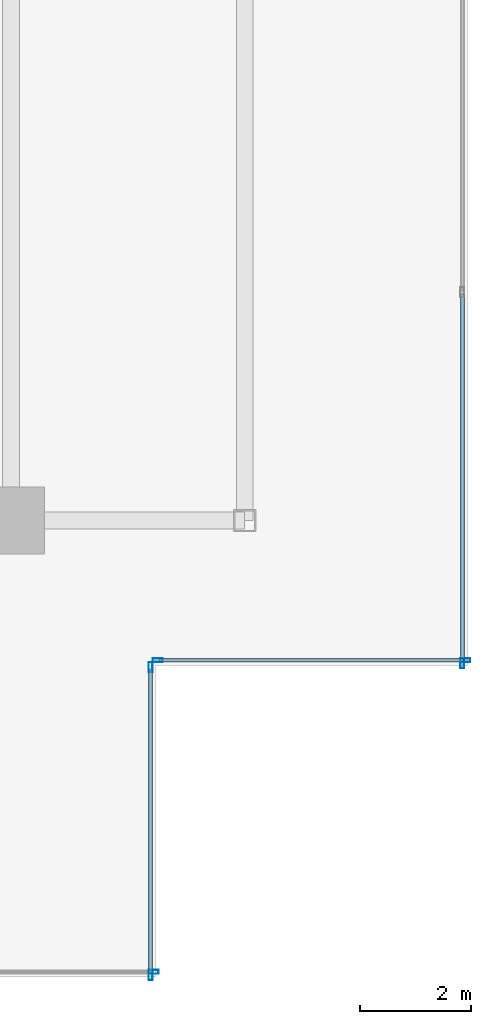
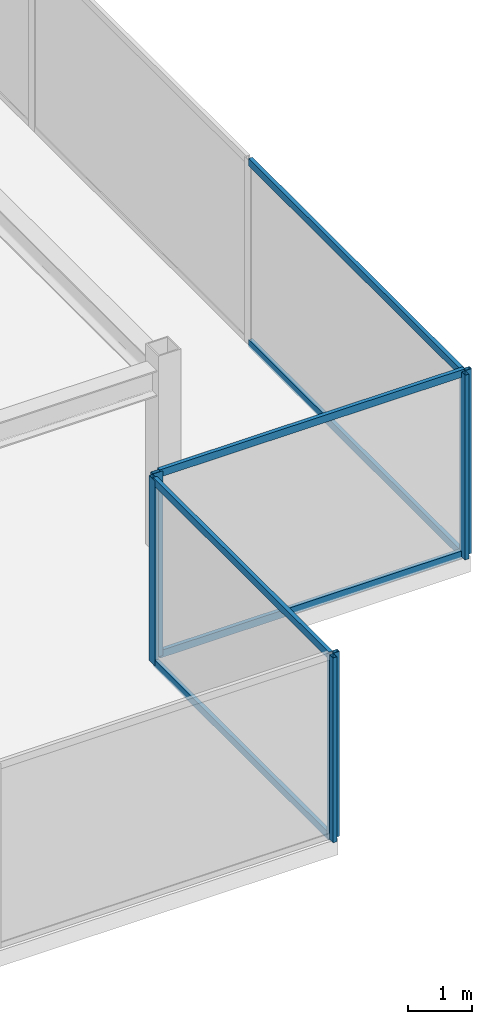
# One storey, part 16 of 25: 12 members, 4 elements without a shape of their own.
"""IFC4 building model written with IfcOpenShell, lengths in metres."""

from ifc_helpers import new_model, si_unit, direction, frame, origin, origin_2d, place, context, subcontext, project, spatial, hollow_rectangle, extrude, source, transform, mapped, material, material_profile, profile_set, type_object, type_shapes, element, aggregate, save


model = new_model("IFC4")

# Units and contexts
model_context = context("Model", 3, precision=1e-05, world=origin(), true_north=direction((0.0, 1.0)))
body_context = subcontext(model_context, "Body", "Model", "MODEL_VIEW")
ifc_project = project(units=[si_unit("LENGTHUNIT", "METRE"), si_unit("AREAUNIT", "SQUARE_METRE"), si_unit("VOLUMEUNIT", "CUBIC_METRE"), si_unit("PLANEANGLEUNIT", "RADIAN"), si_unit("MASSUNIT", "GRAM", prefix="KILO")], contexts=[model_context])

# Site, building, storey
site_placement = place(None, origin())
site = spatial("IfcSite", under=ifc_project, at=site_placement, CompositionType="ELEMENT")
building_placement = place(site_placement, origin())
building = spatial("IfcBuilding", under=site, at=building_placement, Name="Krantzveldt Concourse Tower", CompositionType="ELEMENT")
storey_placement = place(building_placement, frame((0.0, 0.0, 370.85009765625)))
storey = spatial("IfcBuildingStorey", under=building, at=storey_placement, Name="L91", CompositionType="ELEMENT", Elevation=370.85009765625)

# Curtain wall, members
ifc_material = material(Name="Anodised aluminium 6063-T6", Category="aluminium")
curtain_wall_type = type_object("IfcCurtainWallType", Name="CW7", PredefinedType="USERDEFINED", material=ifc_material)
curtain_wall_1_placement = place(storey_placement, origin())
curtain_wall_1 = element("IfcCurtainWall", 1, at=curtain_wall_1_placement, inside=storey, type_object=curtain_wall_type, Name="CW-L91-EAST-03", ObjectType="UNITISED CURTAIN WALL", PredefinedType="USERDEFINED")
ifc_material_profile_1 = material_profile(ifc_material, hollow_rectangle(XDim=0.070068359375, YDim=0.139892578125, WallThickness=0.0048828125, at=origin_2d()), Name="Anodised aluminium 6063-T6", Category="aluminium")
ifc_profile_set_1 = profile_set([ifc_material_profile_1], Name="Anodised aluminium 6063-T6 - ALU-TRAN 140x70x5")
member_type_1 = type_object("IfcMemberType", Name="CW-TRN-150", PredefinedType="USERDEFINED", material=ifc_profile_set_1)
shared_shape_1 = source(origin(), body_context, "Body", "SweptSolid", [
    extrude(hollow_rectangle(XDim=0.070068359375, YDim=0.139892578125, WallThickness=0.0048828125, at=origin_2d()), origin(), (0.0, 0.0, 1.0), 6.594970703125),
])
member_1_placement = place(storey_placement, frame((54.909912109375, 13.3701171875, 0.034912109375), z_axis=(0.0, 1.0, 0.0), x_axis=(-1.0, 0.0, 0.0)))
member_1 = element("IfcMember", 2, at=member_1_placement, type_object=member_type_1, Name="CW-CRN transom 1.1", ObjectType="TRANSOM", PredefinedType="USERDEFINED", context=body_context, shape_type="MappedRepresentation", body=[
    mapped(shared_shape_1, transform((0.0, 0.0, 0.0), x_axis=(1.0, 0.0, 0.0), y_axis=(0.0, 1.0, 0.0), z_axis=(0.0, 0.0, 1.0), scale=1.0)),
])
member_2_placement = place(storey_placement, frame((54.909912109375, 13.3701171875, 3.46484375), z_axis=(0.0, 1.0, 0.0), x_axis=(-1.0, 0.0, 0.0)))
member_2 = element("IfcMember", 3, at=member_2_placement, type_object=member_type_1, Name="CW-CRN transom 1.2", ObjectType="TRANSOM", PredefinedType="USERDEFINED", context=body_context, shape_type="MappedRepresentation", body=[
    mapped(shared_shape_1, transform((0.0, 0.0, 0.0), x_axis=(1.0, 0.0, 0.0), y_axis=(0.0, 1.0, 0.0), z_axis=(0.0, 0.0, 1.0), scale=1.0)),
])

# Curtain wall, member
curtain_wall_2_placement = place(storey_placement, origin())
curtain_wall_2 = element("IfcCurtainWall", 4, at=curtain_wall_2_placement, inside=storey, type_object=curtain_wall_type, Name="CW-L91-EAST-00", ObjectType="UNITISED CURTAIN WALL", PredefinedType="USERDEFINED")
ifc_material_profile_2 = material_profile(ifc_material, hollow_rectangle(XDim=0.070068359375, YDim=0.179931640625, WallThickness=0.0048828125, at=origin_2d()), Name="Anodised aluminium 6063-T6", Category="aluminium")
ifc_profile_set_2 = profile_set([ifc_material_profile_2], Name="Anodised aluminium 6063-T6 - ALU-MULL 180x70x5")
member_type_2 = type_object("IfcMemberType", Name="CW-MUL-180", PredefinedType="MULLION", material=ifc_profile_set_2)
shared_shape_2 = source(origin(), body_context, "Body", "SweptSolid", [
    extrude(hollow_rectangle(XDim=0.070068359375, YDim=0.179931640625, WallThickness=0.0048828125, at=origin_2d()), origin(), (0.0, 0.0, 1.0), 3.5),
])
type_shapes(member_type_2, [shared_shape_2])
member_3_placement = place(storey_placement, frame((49.364990234375, 7.7900390625, 0.0), z_axis=(0.0, 0.0, 1.0), x_axis=(0.0, 1.0, 0.0)))
member_3 = element("IfcMember", 5, at=member_3_placement, type_object=member_type_2, Name="CW-CRN mullion 3", PredefinedType="MULLION", context=body_context, shape_type="MappedRepresentation", body=[
    mapped(shared_shape_2, transform((0.0, 0.0, 0.0), x_axis=(1.0, 0.0, 0.0), y_axis=(0.0, 1.0, 0.0), z_axis=(0.0, 0.0, 1.0), scale=1.0)),
])
aggregate(curtain_wall_2, [member_3])

# Curtain wall, members
curtain_wall_3_placement = place(storey_placement, origin())
curtain_wall_3 = element("IfcCurtainWall", 6, at=curtain_wall_3_placement, inside=storey, type_object=curtain_wall_type, Name="CW-L91-EAST-01", ObjectType="UNITISED CURTAIN WALL", PredefinedType="USERDEFINED")
member_4_placement = place(storey_placement, frame((49.31005859375, 7.735107421875, 0.0), z_axis=(0.0, 0.0, 1.0), x_axis=(-1.0, 0.0, 0.0)))
member_4 = element("IfcMember", 7, at=member_4_placement, type_object=member_type_2, Name="CW-CRN mullion 1", PredefinedType="MULLION", context=body_context, shape_type="MappedRepresentation", body=[
    mapped(shared_shape_2, transform((0.0, 0.0, 0.0), x_axis=(1.0, 0.0, 0.0), y_axis=(0.0, 1.0, 0.0), z_axis=(0.0, 0.0, 1.0), scale=1.0)),
])
member_5_placement = place(storey_placement, frame((49.31005859375, 13.264892578125, 0.0), z_axis=(0.0, 0.0, 1.0), x_axis=(-1.0, 0.0, 0.0)))
member_5 = element("IfcMember", 8, at=member_5_placement, type_object=member_type_2, Name="CW-CRN mullion 2", PredefinedType="MULLION", context=body_context, shape_type="MappedRepresentation", body=[
    mapped(shared_shape_2, transform((0.0, 0.0, 0.0), x_axis=(1.0, 0.0, 0.0), y_axis=(0.0, 1.0, 0.0), z_axis=(0.0, 0.0, 1.0), scale=1.0)),
])

curtain_wall_4_placement = place(storey_placement, origin())
curtain_wall_4 = element("IfcCurtainWall", 9, at=curtain_wall_4_placement, inside=storey, type_object=curtain_wall_type, Name="CW-L91-EAST-02", ObjectType="UNITISED CURTAIN WALL", PredefinedType="USERDEFINED")
member_6_placement = place(storey_placement, frame((49.43505859375, 13.389892578125, 0.0), z_axis=(0.0, 0.0, 1.0), x_axis=(0.0, 1.0, 0.0)))
member_6 = element("IfcMember", 10, at=member_6_placement, type_object=member_type_2, Name="CW-CRN mullion 1", PredefinedType="MULLION", context=body_context, shape_type="MappedRepresentation", body=[
    mapped(shared_shape_2, transform((0.0, 0.0, 0.0), x_axis=(1.0, 0.0, 0.0), y_axis=(0.0, 1.0, 0.0), z_axis=(0.0, 0.0, 1.0), scale=1.0)),
])
member_7_placement = place(storey_placement, frame((54.965087890625, 13.389892578125, 0.0), z_axis=(0.0, 0.0, 1.0), x_axis=(0.0, 1.0, 0.0)))
member_7 = element("IfcMember", 11, at=member_7_placement, type_object=member_type_2, Name="CW-CRN mullion 2", PredefinedType="MULLION", context=body_context, shape_type="MappedRepresentation", body=[
    mapped(shared_shape_2, transform((0.0, 0.0, 0.0), x_axis=(1.0, 0.0, 0.0), y_axis=(0.0, 1.0, 0.0), z_axis=(0.0, 0.0, 1.0), scale=1.0)),
])

# Member
member_8_placement = place(storey_placement, frame((54.909912109375, 13.3349609375, 0.0), z_axis=(0.0, 0.0, 1.0), x_axis=(-1.0, 0.0, 0.0)))
member_8 = element("IfcMember", 12, at=member_8_placement, type_object=member_type_2, Name="CW-CRN mullion 1", PredefinedType="MULLION", context=body_context, shape_type="MappedRepresentation", body=[
    mapped(shared_shape_2, transform((0.0, 0.0, 0.0), x_axis=(1.0, 0.0, 0.0), y_axis=(0.0, 1.0, 0.0), z_axis=(0.0, 0.0, 1.0), scale=1.0)),
])

aggregate(curtain_wall_1, [member_8, member_1, member_2])

shared_shape_3 = source(origin(), body_context, "Body", "SweptSolid", [
    extrude(hollow_rectangle(XDim=0.070068359375, YDim=0.139892578125, WallThickness=0.0048828125, at=origin_2d()), origin(), (0.0, 0.0, 1.0), 5.4599609375),
])
type_shapes(member_type_1, [shared_shape_1, shared_shape_3])
member_9_placement = place(storey_placement, frame((49.31005859375, 7.77001953125, 0.034912109375), z_axis=(0.0, 1.0, 0.0), x_axis=(-1.0, 0.0, 0.0)))
member_9 = element("IfcMember", 13, at=member_9_placement, type_object=member_type_1, Name="CW-CRN transom 1.1", ObjectType="TRANSOM", PredefinedType="USERDEFINED", context=body_context, shape_type="MappedRepresentation", body=[
    mapped(shared_shape_3, transform((0.0, 0.0, 0.0), x_axis=(1.0, 0.0, 0.0), y_axis=(0.0, 1.0, 0.0), z_axis=(0.0, 0.0, 1.0), scale=1.0)),
])

member_10_placement = place(storey_placement, frame((49.31005859375, 7.77001953125, 3.46484375), z_axis=(0.0, 1.0, 0.0), x_axis=(-1.0, 0.0, 0.0)))
member_10 = element("IfcMember", 14, at=member_10_placement, type_object=member_type_1, Name="CW-CRN transom 1.2", ObjectType="TRANSOM", PredefinedType="USERDEFINED", context=body_context, shape_type="MappedRepresentation", body=[
    mapped(shared_shape_3, transform((0.0, 0.0, 0.0), x_axis=(1.0, 0.0, 0.0), y_axis=(0.0, 1.0, 0.0), z_axis=(0.0, 0.0, 1.0), scale=1.0)),
])

aggregate(curtain_wall_3, [member_4, member_5, member_9, member_10])

member_11_placement = place(storey_placement, frame((49.469970703125, 13.389892578125, 0.034912109375), z_axis=(1.0, 0.0, 0.0), x_axis=(0.0, 1.0, 0.0)))
member_11 = element("IfcMember", 15, at=member_11_placement, type_object=member_type_1, Name="CW-CRN transom 1.1", ObjectType="TRANSOM", PredefinedType="USERDEFINED", context=body_context, shape_type="MappedRepresentation", body=[
    mapped(shared_shape_3, transform((0.0, 0.0, 0.0), x_axis=(1.0, 0.0, 0.0), y_axis=(0.0, 1.0, 0.0), z_axis=(0.0, 0.0, 1.0), scale=1.0)),
])

member_12_placement = place(storey_placement, frame((49.469970703125, 13.389892578125, 3.46484375), z_axis=(1.0, 0.0, 0.0), x_axis=(0.0, 1.0, 0.0)))
member_12 = element("IfcMember", 16, at=member_12_placement, type_object=member_type_1, Name="CW-CRN transom 1.2", ObjectType="TRANSOM", PredefinedType="USERDEFINED", context=body_context, shape_type="MappedRepresentation", body=[
    mapped(shared_shape_3, transform((0.0, 0.0, 0.0), x_axis=(1.0, 0.0, 0.0), y_axis=(0.0, 1.0, 0.0), z_axis=(0.0, 0.0, 1.0), scale=1.0)),
])

aggregate(curtain_wall_4, [member_6, member_7, member_11, member_12])

save(model, "model.ifc")
